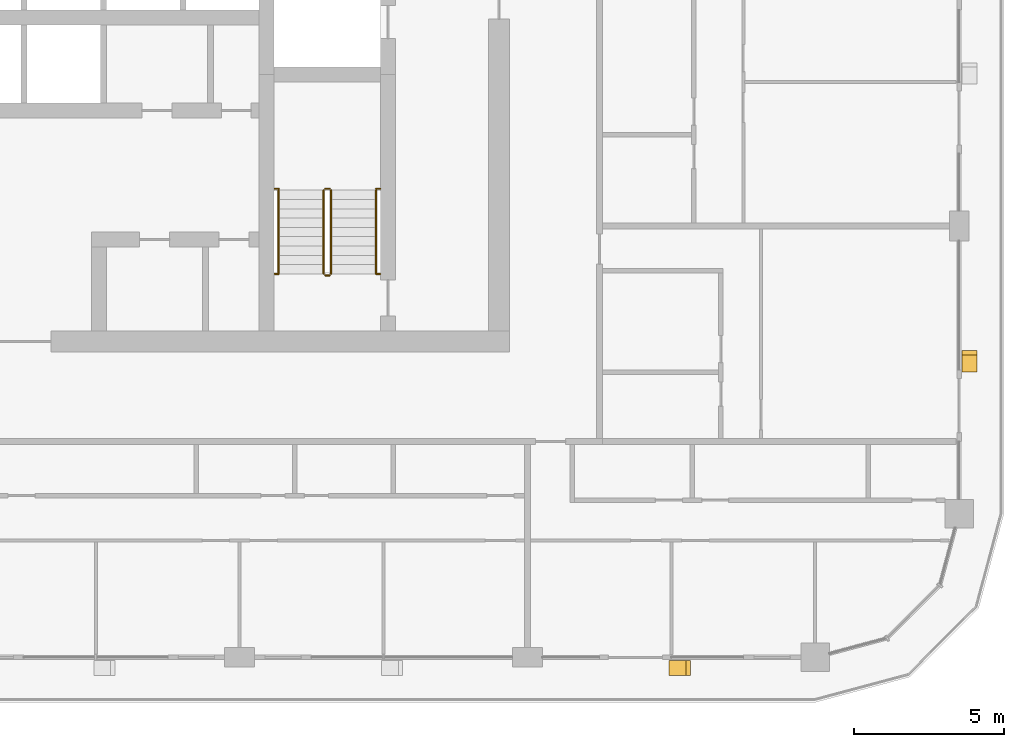
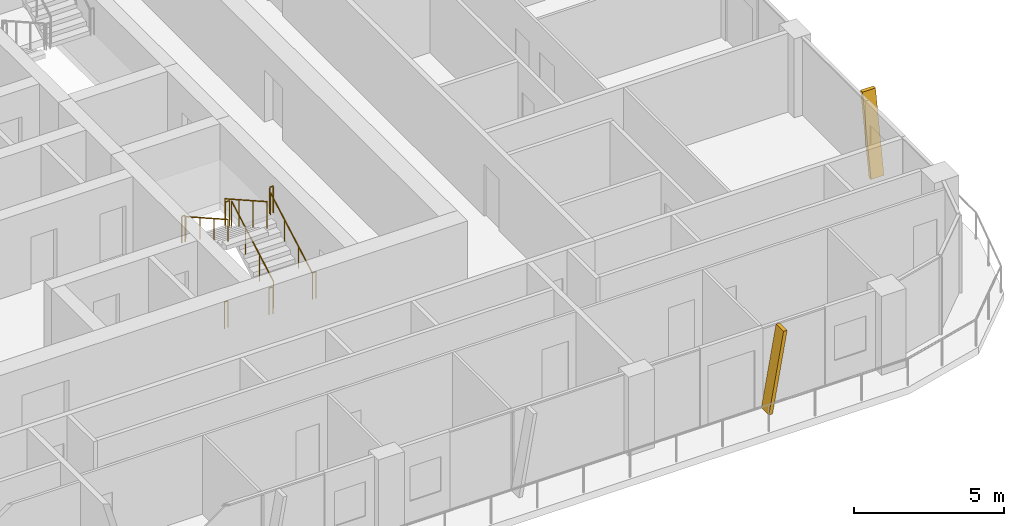
# One storey, part 20 of 23: 10 railings, 2 shading devices.
"""IFC4 building model written with IfcOpenShell, lengths in metres."""

import ifcopenshell
import ifcopenshell.guid

model = None  # the IFC model being written
_history = None  # IfcOwnerHistory: only IFC2X3 demands one
_inside = {}  # id of a spatial element -> (the spatial element, [elements in it])
_under = {}  # id of a project, library or spatial element -> (it, [spatial elements below it])
_declared = {}  # id of a project -> (the project, [libraries it declares])
_typed = {}  # id of a type object -> (the type object, [elements of that type])
_made_of = {}  # id of a material, layer set ... -> (it, [elements and type objects made of it])


def new_model(schema):
    """Start an empty IFC model of exactly this schema.

    Asked for "IFC4X3", IfcOpenShell would pick the latest addendum, in which some entities
    have other attributes; the version numbers below select the first issue.
    IFC2X3 requires an IfcOwnerHistory on every rooted entity: one is made here for all.
    """
    global model, _history
    if schema == "IFC4X3":
        model = ifcopenshell.file(schema_version=(4, 3, 0, 0))
    else:
        model = ifcopenshell.file(schema=schema)
    _inside.clear()
    _under.clear()
    _declared.clear()
    _typed.clear()
    _made_of.clear()
    _history = None
    if model.schema == "IFC2X3":
        org = make("IfcOrganization", Name="unknown")
        user = make(
            "IfcPersonAndOrganization",
            ThePerson=make("IfcPerson", FamilyName="unknown"),
            TheOrganization=org,
        )
        app = make(
            "IfcApplication",
            ApplicationDeveloper=org,
            Version="unknown",
            ApplicationFullName="unknown",
            ApplicationIdentifier="unknown",
        )
        _history = make(
            "IfcOwnerHistory",
            OwningUser=user,
            OwningApplication=app,
            ChangeAction="ADDED",
            CreationDate=0,
        )
    return model


def make(cls, **values):
    """One entity of the class cls with the attributes given. An attribute that is None is left unset."""
    return model.create_entity(
        cls, **{name: value for name, value in values.items() if value is not None}
    )


def rooted(cls, **values):
    """An entity with a GlobalId (a new one), such as an element, a storey or a relation."""
    return make(cls, GlobalId=ifcopenshell.guid.new(), OwnerHistory=_history, **values)


def si_unit(unit_type, name, prefix=None):
    """IfcSIUnit, for example si_unit("LENGTHUNIT", "METRE", prefix="MILLI")."""
    return make("IfcSIUnit", UnitType=unit_type, Prefix=prefix, Name=name)


def assignment(units):
    """IfcUnitAssignment: the units of a project."""
    return None if units is None else make("IfcUnitAssignment", Units=units)


def point(xyz):
    """IfcCartesianPoint."""
    return None if xyz is None else make("IfcCartesianPoint", Coordinates=xyz)


def direction(xyz):
    """IfcDirection."""
    return None if xyz is None else make("IfcDirection", DirectionRatios=xyz)


def frame(location, z_axis=None, x_axis=None):
    """IfcAxis2Placement3D, a coordinate frame: its origin and axes. An axis left out is left unset."""
    return make(
        "IfcAxis2Placement3D",
        Location=point(location),
        Axis=direction(z_axis),
        RefDirection=direction(x_axis),
    )


def frame_2d(location, x_axis=None):
    """IfcAxis2Placement2D, a coordinate frame in the plane: its origin and x axis."""
    return make(
        "IfcAxis2Placement2D", Location=point(location), RefDirection=direction(x_axis)
    )


def origin():
    """The frame at (0, 0, 0) with its axes left unset."""
    return frame((0.0, 0.0, 0.0))


def origin_2d():
    """The frame at (0, 0) in the plane with its x axis left unset."""
    return frame_2d((0.0, 0.0))


def place(relative_to, where):
    """IfcLocalPlacement: puts the frame where relative to a parent placement (None: the world)."""
    return make(
        "IfcLocalPlacement", PlacementRelTo=relative_to, RelativePlacement=where
    )


def context(
    kind, dimensions, precision=None, world=None, true_north=None, identifier=None
):
    """IfcGeometricRepresentationContext, for example the 3D "Model" context."""
    return make(
        "IfcGeometricRepresentationContext",
        ContextIdentifier=identifier,
        ContextType=kind,
        CoordinateSpaceDimension=dimensions,
        Precision=precision,
        WorldCoordinateSystem=world,
        TrueNorth=true_north,
    )


def subcontext(parent, identifier, kind, view, scale=None):
    """IfcGeometricRepresentationSubContext, for example "Body" below "Model"."""
    return make(
        "IfcGeometricRepresentationSubContext",
        ContextIdentifier=identifier,
        ContextType=kind,
        ParentContext=parent,
        TargetScale=scale,
        TargetView=view,
    )


def project(units=None, contexts=None):
    """IfcProject with its units and contexts."""
    return rooted(
        "IfcProject",
        Name="project",
        RepresentationContexts=contexts,
        UnitsInContext=assignment(units),
    )


def spatial(cls, under=None, at=None, **own):
    """A site, building, storey or space (cls), placed at a placement, below another one or the project."""
    s = rooted(cls, ObjectPlacement=at, **own)
    if under is not None:
        _under.setdefault(under.id(), (under, []))[1].append(s)
    return s


def polyline(points):
    """IfcPolyline through the points."""
    return make("IfcPolyline", Points=[point(p) for p in points])


def profile(cls, at=None, kind="AREA", **sizes):
    """A parametric profile (cls). Its sizes go by their IFC names, for example OverallWidth=200.0."""
    return make(cls, ProfileType=kind, Position=at, **sizes)


def circle(**sizes):
    """IfcCircleProfileDef."""
    return profile("IfcCircleProfileDef", **sizes)


def outline(outer, holes=None, kind="AREA"):
    """IfcArbitraryClosedProfileDef: a profile drawn as a closed curve; with holes, ...WithVoids."""
    if holes is None:
        return make("IfcArbitraryClosedProfileDef", ProfileType=kind, OuterCurve=outer)
    return make(
        "IfcArbitraryProfileDefWithVoids",
        ProfileType=kind,
        OuterCurve=outer,
        InnerCurves=holes,
    )


def extrude(swept, where, along, depth):
    """IfcExtrudedAreaSolid: the profile swept, set in the frame where, extruded along a direction by depth."""
    return make(
        "IfcExtrudedAreaSolid",
        SweptArea=swept,
        Position=where,
        ExtrudedDirection=direction(along),
        Depth=depth,
    )


def shape(context_of_items, identifier, shape_type, items):
    """IfcShapeRepresentation: the items that make up one representation, for example the "Body"."""
    return make(
        "IfcShapeRepresentation",
        ContextOfItems=context_of_items,
        RepresentationIdentifier=identifier,
        RepresentationType=shape_type,
        Items=items,
    )


def material(Name=None, Category=None):
    """IfcMaterial."""
    return make("IfcMaterial", Name=Name, Category=Category)


def made_of(thing, what):
    """Note that an element or type object is made of a material, layer set ...; save() writes the relation."""
    if what is not None:
        _made_of.setdefault(what.id(), (what, []))[1].append(thing)
    return thing


def type_object(cls, material=None, **own):
    """A type object (cls), such as IfcWallType, which elements share."""
    return made_of(rooted(cls, **own), material)


def element(
    cls,
    number,
    at=None,
    inside=None,
    cuts=None,
    type_object=None,
    material=None,
    context=None,
    identifier="Body",
    shape_type=None,
    held_by="IfcProductDefinitionShape",
    body=None,
    shapes=None,
    **own,
):
    """One element of the class cls, such as IfcWall. Its Tag is "e" and its number.

    at: its placement. inside: the storey or other place that contains it. cuts: it is an
    opening in that element (IfcRelVoidsElement). A single representation is given by context,
    identifier, shape_type and body (its items); several are given by shapes. held_by: the class
    of the entity that holds the representations. save() writes the other relations.
    """
    e = rooted(cls, Tag="e%d" % number, ObjectPlacement=at, **own)
    if body is not None:
        shapes = [shape(context, identifier, shape_type, body)]
    if shapes is not None:
        e.Representation = make(held_by, Representations=shapes)
    if inside is not None:
        _inside.setdefault(inside.id(), (inside, []))[1].append(e)
    if cuts is not None:
        rooted(
            "IfcRelVoidsElement", RelatingBuildingElement=cuts, RelatedOpeningElement=e
        )
    if type_object is not None:
        _typed.setdefault(type_object.id(), (type_object, []))[1].append(e)
    return made_of(e, material)


def aggregate(whole, parts):
    """IfcRelAggregates: a whole, such as a stair, and the parts it consists of."""
    return rooted("IfcRelAggregates", RelatingObject=whole, RelatedObjects=parts)


def save(model, path):
    """Write the relations noted so far, then the file.

    IfcRelAggregates (storeys below a building ...), IfcRelContainedInSpatialStructure (elements
    in a storey), IfcRelDefinesByType, IfcRelAssociatesMaterial and IfcRelDeclares: one each for
    every whole, place, type object, material and project.
    """
    for whole, parts in _under.values():
        aggregate(whole, parts)
    for where, things in _inside.values():
        rooted(
            "IfcRelContainedInSpatialStructure",
            RelatedElements=things,
            RelatingStructure=where,
        )
    for kind, things in _typed.values():
        rooted("IfcRelDefinesByType", RelatedObjects=things, RelatingType=kind)
    for what, things in _made_of.values():
        rooted("IfcRelAssociatesMaterial", RelatedObjects=things, RelatingMaterial=what)
    for by, libraries in _declared.values():
        rooted("IfcRelDeclares", RelatingContext=by, RelatedDefinitions=libraries)
    model.write(path)


model = new_model("IFC4")

# Units and contexts
model_context = context("Model", 3, precision=1e-05, world=origin(), true_north=direction((0.0, 1.0)))
body_context = subcontext(model_context, "Body", "Model", "MODEL_VIEW")
ifc_project = project(units=[si_unit("LENGTHUNIT", "METRE"), si_unit("AREAUNIT", "SQUARE_METRE"), si_unit("VOLUMEUNIT", "CUBIC_METRE"), si_unit("PLANEANGLEUNIT", "RADIAN"), si_unit("MASSUNIT", "GRAM", prefix="KILO")], contexts=[model_context])

# Site, building, storey
site_placement = place(None, origin())
site = spatial("IfcSite", under=ifc_project, at=site_placement, CompositionType="ELEMENT")
building_placement = place(site_placement, origin())
building = spatial("IfcBuilding", under=site, at=building_placement, Name="Madar Terraces", CompositionType="ELEMENT")
storey_placement = place(building_placement, frame((0.0, 0.0, 226.300048828125)))
storey = spatial("IfcBuildingStorey", under=building, at=storey_placement, Name="L59", CompositionType="ELEMENT", Elevation=226.300048828125)

# Shading devices
ifc_material_1 = material(Name="Aluminium, black anodised", Category="aluminium")
shading_device_type = type_object("IfcShadingDeviceType", Name="Facade fin blade 140 x 500", PredefinedType="USERDEFINED", material=ifc_material_1)
shading_device_1_placement = place(storey_placement, frame((52.72998046875, 4.449951171875, 0.0), z_axis=(0.0, 0.0, 1.0), x_axis=(1.0, 0.0, 0.0)))
element("IfcShadingDevice", 1, at=shading_device_1_placement, inside=storey, type_object=shading_device_type, Name="FIN L59 S5", ObjectType="FIN", PredefinedType="USERDEFINED", context=body_context, shape_type="SweptSolid", body=[
    extrude(outline(polyline([(0.0, 0.0), (0.14013671875, 0.0), (0.704345703125, 3.199951171875), (0.564208984375, 3.199951171875), (0.0, 0.0)])), frame((0.0, 0.25, 0.0), z_axis=(0.0, -1.0, 0.0), x_axis=(1.0, 0.0, 0.0)), (0.0, 0.0, 1.0), 0.5),
])
shading_device_2_placement = place(storey_placement, frame((62.75, 14.330078125, 0.0), z_axis=(0.0, 0.0, 1.0), x_axis=(0.0, 1.0, 0.0)))
element("IfcShadingDevice", 2, at=shading_device_2_placement, inside=storey, type_object=shading_device_type, Name="FIN L59 E1", ObjectType="FIN", PredefinedType="USERDEFINED", context=body_context, shape_type="SweptSolid", body=[
    extrude(outline(polyline([(0.0, 0.0), (0.139892578125, 0.0), (0.704345703125, 3.199951171875), (0.564208984375, 3.199951171875), (0.0, 0.0)])), frame((0.0, 0.25, 0.0), z_axis=(0.0, -1.0, 0.0), x_axis=(1.0, 0.0, 0.0)), (0.0, 0.0, 1.0), 0.5),
])

# Railings
ifc_material_2 = material(Name="Stainless steel railing", Category="steel")
railing_type_1 = type_object("IfcRailingType", Name="Stair guard 1100", PredefinedType="GUARDRAIL", material=ifc_material_2)
railing_1_placement = place(storey_placement, frame((41.449951171875, 17.60009765625, 0.175048828125)))
element("IfcRailing", 3, at=railing_1_placement, inside=storey, type_object=railing_type_1, Name="L59 ST3 stair guard 1", PredefinedType="GUARDRAIL", context=body_context, shape_type="SweptSolid", body=[
    extrude(circle(Radius=0.02392578125, at=origin_2d()), frame((0.0, 0.0, 1.076171875), z_axis=(0.0, 0.870815363784, 0.491610213684), x_axis=(-1.0, 0.0, 0.0)), (0.0, 0.0, 1.0), 3.20361328125),
    extrude(circle(Radius=0.02099609375, at=origin_2d()), origin(), (0.0, 0.0, 1.0), 1.052001953125),
    extrude(circle(Radius=0.02099609375, at=origin_2d()), frame((0.0, 0.929931640625, 0.52490234375)), (0.0, 0.0, 1.0), 1.052001953125),
    extrude(circle(Radius=0.02099609375, at=origin_2d()), frame((0.0, 1.85986328125, 1.050048828125)), (0.0, 0.0, 1.0), 1.052001953125),
    extrude(circle(Radius=0.02099609375, at=origin_2d()), frame((0.0, 2.789794921875, 1.574951171875)), (0.0, 0.0, 1.0), 1.052001953125),
])
railing_2_placement = place(storey_placement, frame((41.39990234375, 20.43994140625, 1.75)))
element("IfcRailing", 4, at=railing_2_placement, inside=storey, type_object=railing_type_1, Name="L59 ST3 stair guard 2", PredefinedType="GUARDRAIL", context=body_context, shape_type="SweptSolid", body=[
    extrude(circle(Radius=0.02392578125, at=origin_2d()), frame((0.0, 0.0, 1.076171875), z_axis=(-1.0, 0.0, 0.0), x_axis=(0.0, -1.0, 0.0)), (0.0, 0.0, 1.0), 0.14990234375),
    extrude(circle(Radius=0.02099609375, at=origin_2d()), origin(), (0.0, 0.0, 1.0), 1.052001953125),
    extrude(circle(Radius=0.02099609375, at=origin_2d()), frame((-0.14990234375, 0.0, 0.0)), (0.0, 0.0, 1.0), 1.052001953125),
])
railing_3_placement = place(storey_placement, frame((41.199951171875, 20.389892578125, 1.925048828125)))
element("IfcRailing", 5, at=railing_3_placement, inside=storey, type_object=railing_type_1, Name="L59 ST3 stair guard 3", PredefinedType="GUARDRAIL", context=body_context, shape_type="SweptSolid", body=[
    extrude(circle(Radius=0.02392578125, at=origin_2d()), frame((0.0, 0.0, 1.076171875), z_axis=(0.0, -0.870815363784, 0.491610213684), x_axis=(1.0, 0.0, 0.0)), (0.0, 0.0, 1.0), 3.20361328125),
    extrude(circle(Radius=0.02099609375, at=origin_2d()), origin(), (0.0, 0.0, 1.0), 1.052001953125),
    extrude(circle(Radius=0.02099609375, at=origin_2d()), frame((0.0, -0.929931640625, 0.52490234375)), (0.0, 0.0, 1.0), 1.052001953125),
    extrude(circle(Radius=0.02099609375, at=origin_2d()), frame((0.0, -1.85986328125, 1.050048828125)), (0.0, 0.0, 1.0), 1.052001953125),
    extrude(circle(Radius=0.02099609375, at=origin_2d()), frame((0.0, -2.789794921875, 1.574951171875)), (0.0, 0.0, 1.0), 1.052001953125),
])
railing_4_placement = place(storey_placement, frame((41.39990234375, 17.550048828125, 0.0)))
element("IfcRailing", 6, at=railing_4_placement, inside=storey, type_object=railing_type_1, Name="L59 ST3 stair guard 4", PredefinedType="GUARDRAIL", context=body_context, shape_type="SweptSolid", body=[
    extrude(circle(Radius=0.02392578125, at=origin_2d()), frame((0.0, 0.0, 1.076171875), z_axis=(-1.0, 0.0, 0.0), x_axis=(0.0, -1.0, 0.0)), (0.0, 0.0, 1.0), 0.14990234375),
    extrude(circle(Radius=0.02099609375, at=origin_2d()), origin(), (0.0, 0.0, 1.0), 1.052001953125),
    extrude(circle(Radius=0.02099609375, at=origin_2d()), frame((-0.14990234375, 0.0, 0.0)), (0.0, 0.0, 1.0), 1.052001953125),
])
railing_5_placement = place(storey_placement, frame((39.570068359375, 20.43994140625, 1.75)))
element("IfcRailing", 7, at=railing_5_placement, inside=storey, type_object=railing_type_1, Name="L59 stair guard seat 1", PredefinedType="GUARDRAIL", context=body_context, shape_type="SweptSolid", body=[
    extrude(circle(Radius=0.02392578125, at=origin_2d()), frame((0.0, 0.0, 1.076171875), z_axis=(1.0, 0.0, 0.0), x_axis=(0.0, 1.0, 0.0)), (0.0, 0.0, 1.0), 0.1298828125),
    extrude(circle(Radius=0.02099609375, at=origin_2d()), origin(), (0.0, 0.0, 1.0), 1.052001953125),
    extrude(circle(Radius=0.02099609375, at=origin_2d()), frame((0.1298828125, 0.0, 0.0)), (0.0, 0.0, 1.0), 1.052001953125),
])
railing_6_placement = place(storey_placement, frame((42.949951171875, 20.43994140625, 1.75)))
element("IfcRailing", 8, at=railing_6_placement, inside=storey, type_object=railing_type_1, Name="L59 stair guard seat 2", PredefinedType="GUARDRAIL", context=body_context, shape_type="SweptSolid", body=[
    extrude(circle(Radius=0.02392578125, at=origin_2d()), frame((0.0, 0.0, 1.076171875), z_axis=(1.0, 0.0, 0.0), x_axis=(0.0, 1.0, 0.0)), (0.0, 0.0, 1.0), 0.130126953125),
    extrude(circle(Radius=0.02099609375, at=origin_2d()), origin(), (0.0, 0.0, 1.0), 1.052001953125),
    extrude(circle(Radius=0.02099609375, at=origin_2d()), frame((0.130126953125, 0.0, 0.0)), (0.0, 0.0, 1.0), 1.052001953125),
])
railing_7_placement = place(storey_placement, frame((39.570068359375, 17.60009765625, 0.0)))
element("IfcRailing", 9, at=railing_7_placement, inside=storey, type_object=railing_type_1, Name="L59 stair guard floor 1", PredefinedType="GUARDRAIL", context=body_context, shape_type="SweptSolid", body=[
    extrude(circle(Radius=0.02392578125, at=origin_2d()), frame((0.0, 0.0, 1.076171875), z_axis=(1.0, 0.0, 0.0), x_axis=(0.0, 1.0, 0.0)), (0.0, 0.0, 1.0), 0.1298828125),
    extrude(circle(Radius=0.02099609375, at=origin_2d()), origin(), (0.0, 0.0, 1.0), 1.052001953125),
    extrude(circle(Radius=0.02099609375, at=origin_2d()), frame((0.1298828125, 0.0, 0.0)), (0.0, 0.0, 1.0), 1.052001953125),
])
railing_8_placement = place(storey_placement, frame((42.949951171875, 17.60009765625, 0.0)))
element("IfcRailing", 10, at=railing_8_placement, inside=storey, type_object=railing_type_1, Name="L59 stair guard floor 2", PredefinedType="GUARDRAIL", context=body_context, shape_type="SweptSolid", body=[
    extrude(circle(Radius=0.02392578125, at=origin_2d()), frame((0.0, 0.0, 1.076171875), z_axis=(1.0, 0.0, 0.0), x_axis=(0.0, 1.0, 0.0)), (0.0, 0.0, 1.0), 0.130126953125),
    extrude(circle(Radius=0.02099609375, at=origin_2d()), origin(), (0.0, 0.0, 1.0), 1.052001953125),
    extrude(circle(Radius=0.02099609375, at=origin_2d()), frame((0.130126953125, 0.0, 0.0)), (0.0, 0.0, 1.0), 1.052001953125),
])
ifc_material_3 = material(Name="Stainless steel railing", Category="steel")
railing_type_2 = type_object("IfcRailingType", Name="Stair handrail 900", PredefinedType="HANDRAIL", material=ifc_material_3)
railing_9_placement = place(storey_placement, frame((42.949951171875, 17.60009765625, 0.175048828125)))
element("IfcRailing", 11, at=railing_9_placement, inside=storey, type_object=railing_type_2, Name="L59 ST3 stair handrail 1", PredefinedType="HANDRAIL", context=body_context, shape_type="SweptSolid", body=[
    extrude(circle(Radius=0.02392578125, at=origin_2d()), frame((0.0, 0.0, 0.8759765625), z_axis=(0.0, 0.870815363784, 0.491610213684), x_axis=(-1.0, 0.0, 0.0)), (0.0, 0.0, 1.0), 3.20361328125),
    extrude(circle(Radius=0.02099609375, at=origin_2d()), origin(), (0.0, 0.0, 1.0), 0.851806640625),
    extrude(circle(Radius=0.02099609375, at=origin_2d()), frame((0.0, 0.929931640625, 0.52490234375)), (0.0, 0.0, 1.0), 0.851806640625),
    extrude(circle(Radius=0.02099609375, at=origin_2d()), frame((0.0, 1.85986328125, 1.050048828125)), (0.0, 0.0, 1.0), 0.851806640625),
    extrude(circle(Radius=0.02099609375, at=origin_2d()), frame((0.0, 2.789794921875, 1.574951171875)), (0.0, 0.0, 1.0), 0.851806640625),
])
railing_10_placement = place(storey_placement, frame((39.699951171875, 20.389892578125, 1.925048828125)))
element("IfcRailing", 12, at=railing_10_placement, inside=storey, type_object=railing_type_2, Name="L59 ST3 stair handrail 2", PredefinedType="HANDRAIL", context=body_context, shape_type="SweptSolid", body=[
    extrude(circle(Radius=0.02392578125, at=origin_2d()), frame((0.0, 0.0, 0.8759765625), z_axis=(0.0, -0.870815363784, 0.491610213684), x_axis=(1.0, 0.0, 0.0)), (0.0, 0.0, 1.0), 3.20361328125),
    extrude(circle(Radius=0.02099609375, at=origin_2d()), origin(), (0.0, 0.0, 1.0), 0.851806640625),
    extrude(circle(Radius=0.02099609375, at=origin_2d()), frame((0.0, -0.929931640625, 0.52490234375)), (0.0, 0.0, 1.0), 0.851806640625),
    extrude(circle(Radius=0.02099609375, at=origin_2d()), frame((0.0, -1.85986328125, 1.050048828125)), (0.0, 0.0, 1.0), 0.851806640625),
    extrude(circle(Radius=0.02099609375, at=origin_2d()), frame((0.0, -2.789794921875, 1.574951171875)), (0.0, 0.0, 1.0), 0.851806640625),
])

save(model, "model.ifc")
